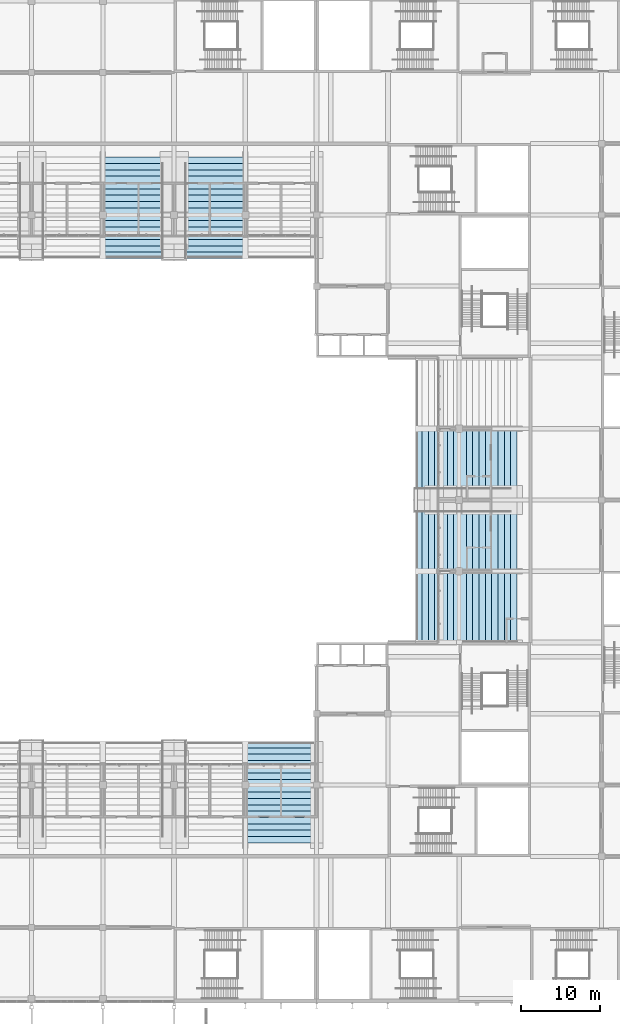
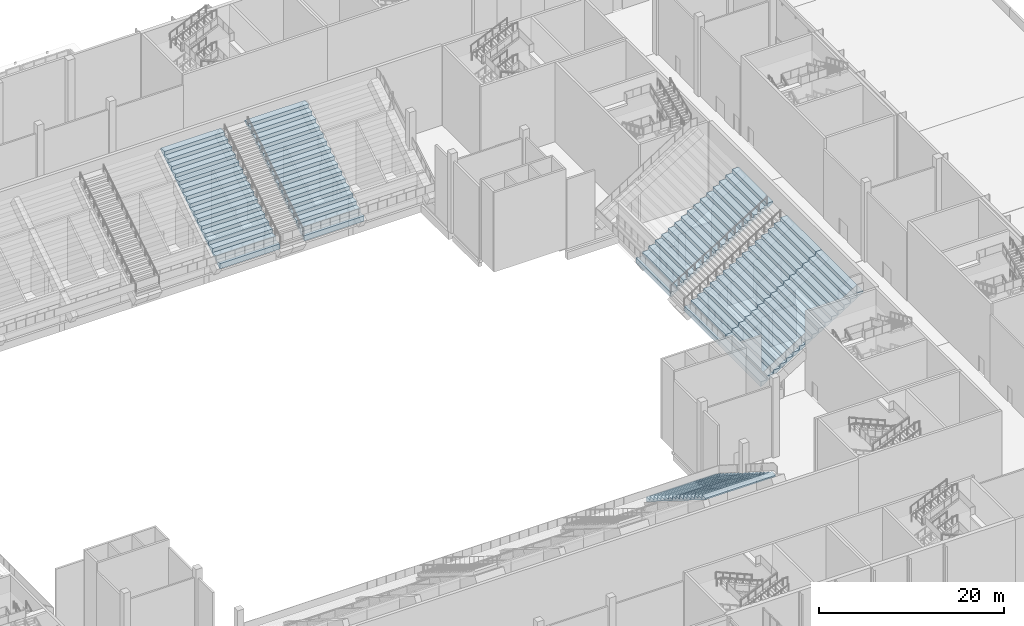
# One storey, part 134 of 182: 6 slabs.
"""IFC4 building model written with IfcOpenShell, lengths in metres."""

from ifc_helpers import new_model, si_unit, direction, frame, origin, place, context, subcontext, project, spatial, faceted_brep, material, layer, layer_set, type_object, element, save


model = new_model("IFC4")

# Units and contexts
model_context = context("Model", 3, precision=1e-05, world=origin(), true_north=direction((0.0, 1.0)))
body_context = subcontext(model_context, "Body", "Model", "MODEL_VIEW")
ifc_project = project(units=[si_unit("LENGTHUNIT", "METRE"), si_unit("AREAUNIT", "SQUARE_METRE"), si_unit("VOLUMEUNIT", "CUBIC_METRE"), si_unit("PLANEANGLEUNIT", "RADIAN"), si_unit("MASSUNIT", "GRAM", prefix="KILO")], contexts=[model_context])

# Site, building, storey
site_placement = place(None, origin())
site = spatial("IfcSite", under=ifc_project, at=site_placement, CompositionType="ELEMENT")
building_placement = place(site_placement, origin())
building = spatial("IfcBuilding", under=site, at=building_placement, Name="Silverbay Arena", CompositionType="ELEMENT")
storey_placement = place(building_placement, frame((0.0, 0.0, 11.5)))
storey = spatial("IfcBuildingStorey", under=building, at=storey_placement, Name="L02", CompositionType="ELEMENT", Elevation=11.5)

# Slabs
ifc_material = material(Name="Concrete Grade C45 precast", Category="concrete")
ifc_layer = layer(ifc_material, 0.679931640625)
ifc_layer_set = layer_set([ifc_layer], Name="Concrete Grade C45 precast")
slab_type = type_object("IfcSlabType", Name="Precast seating tier upper", PredefinedType="USERDEFINED", material=ifc_layer_set)
slab_1_placement = place(storey_placement, origin())
element("IfcSlab", 1, at=slab_1_placement, inside=storey, type_object=slab_type, Name="Stand South upper bay 7", ObjectType="SEATING TIER", PredefinedType="USERDEFINED", context=body_context, shape_type="Brep", body=[
    faceted_brep([(153.0, 50.5, 3.0), (153.0, 49.699951171875, 3.0), (161.60009765625, 49.699951171875, 3.0), (161.60009765625, 50.5, 3.0), (161.60009765625, 50.5, 2.320068359375), (161.60009765625, 49.699951171875, 2.820068359375), (153.0, 49.699951171875, 2.820068359375), (153.0, 50.5, 2.320068359375), (161.75, 49.699951171875, 3.0), (161.75, 50.5, 3.0), (161.75, 50.5, 2.320068359375), (161.75, 49.699951171875, 2.820068359375), (153.0, 49.699951171875, 3.5), (153.0, 48.89990234375, 3.5), (161.60009765625, 48.89990234375, 3.5), (161.60009765625, 49.699951171875, 3.5), (161.60009765625, 48.89990234375, 3.320068359375), (153.0, 48.89990234375, 3.320068359375), (161.75, 48.89990234375, 3.5), (161.75, 49.699951171875, 3.5), (161.75, 48.89990234375, 3.320068359375), (153.0, 48.89990234375, 4.0), (153.0, 48.10009765625, 4.0), (161.60009765625, 48.10009765625, 4.0), (161.60009765625, 48.89990234375, 4.0), (161.60009765625, 48.10009765625, 3.820068359375), (153.0, 48.10009765625, 3.820068359375), (161.75, 48.10009765625, 4.0), (161.75, 48.89990234375, 4.0), (161.75, 48.10009765625, 3.820068359375), (153.0, 48.10009765625, 4.5), (153.0, 47.300048828125, 4.5), (161.60009765625, 47.300048828125, 4.5), (161.60009765625, 48.10009765625, 4.5), (161.60009765625, 47.300048828125, 4.320068359375), (153.0, 47.300048828125, 4.320068359375), (161.75, 47.300048828125, 4.5), (161.75, 48.10009765625, 4.5), (161.75, 47.300048828125, 4.320068359375), (153.0, 47.300048828125, 5.0), (153.0, 46.5, 5.0), (161.60009765625, 46.5, 5.0), (161.60009765625, 47.300048828125, 5.0), (161.60009765625, 46.5, 4.820068359375), (153.0, 46.5, 4.820068359375), (161.75, 46.5, 5.0), (161.75, 47.300048828125, 5.0), (161.75, 46.5, 4.820068359375), (153.0, 46.5, 5.5), (153.0, 45.699951171875, 5.5), (161.60009765625, 45.699951171875, 5.5), (161.60009765625, 46.5, 5.5), (161.60009765625, 45.699951171875, 5.320068359375), (153.0, 45.699951171875, 5.320068359375), (161.75, 45.699951171875, 5.5), (161.75, 46.5, 5.5), (161.75, 45.699951171875, 5.320068359375), (153.0, 45.699951171875, 6.0), (153.0, 45.39990234375, 6.0), (161.60009765625, 45.39990234375, 6.0), (161.60009765625, 45.699951171875, 6.0), (161.60009765625, 45.39990234375, 5.507568359375), (153.0, 45.39990234375, 5.507568359375), (161.75, 45.39990234375, 6.0), (161.75, 45.699951171875, 6.0), (161.75, 45.39990234375, 5.507568359375), (153.0, 44.89990234375, 6.0), (161.60009765625, 44.89990234375, 6.0), (161.60009765625, 44.89990234375, 5.820068359375), (153.0, 44.89990234375, 5.820068359375), (153.0, 44.89990234375, 6.5), (153.0, 44.60009765625, 6.5), (161.60009765625, 44.60009765625, 6.5), (161.60009765625, 44.89990234375, 6.5), (161.60009765625, 44.60009765625, 6.007568359375), (153.0, 44.60009765625, 6.007568359375), (153.0, 44.10009765625, 6.5), (161.60009765625, 44.10009765625, 6.5), (161.60009765625, 44.10009765625, 6.320068359375), (153.0, 44.10009765625, 6.320068359375), (161.75, 44.10009765625, 6.5), (161.75, 44.60009765625, 6.5), (161.75, 44.60009765625, 6.007568359375), (161.75, 44.10009765625, 6.320068359375), (153.0, 44.10009765625, 7.0), (153.0, 43.300048828125, 7.0), (161.60009765625, 43.300048828125, 7.0), (161.60009765625, 44.10009765625, 7.0), (161.60009765625, 43.300048828125, 6.820068359375), (153.0, 43.300048828125, 6.820068359375), (161.75, 43.300048828125, 7.0), (161.75, 44.10009765625, 7.0), (161.75, 43.300048828125, 6.820068359375), (153.0, 43.300048828125, 7.5), (153.0, 42.5, 7.5), (161.60009765625, 42.5, 7.5), (161.60009765625, 43.300048828125, 7.5), (161.60009765625, 42.5, 7.320068359375), (153.0, 42.5, 7.320068359375), (161.75, 42.5, 7.5), (161.75, 43.300048828125, 7.5), (161.75, 42.5, 7.320068359375), (153.0, 42.5, 8.0), (153.0, 41.699951171875, 8.0), (161.60009765625, 41.699951171875, 8.0), (161.60009765625, 42.5, 8.0), (161.60009765625, 41.699951171875, 7.820068359375), (153.0, 41.699951171875, 7.820068359375), (161.75, 41.699951171875, 8.0), (161.75, 42.5, 8.0), (161.75, 41.699951171875, 7.820068359375), (153.0, 41.699951171875, 8.5), (153.0, 40.89990234375, 8.5), (161.60009765625, 40.89990234375, 8.5), (161.60009765625, 41.699951171875, 8.5), (161.60009765625, 40.89990234375, 8.320068359375), (153.0, 40.89990234375, 8.320068359375), (161.75, 40.89990234375, 8.5), (161.75, 41.699951171875, 8.5), (161.75, 40.89990234375, 8.320068359375), (153.0, 40.89990234375, 9.0), (153.0, 40.10009765625, 9.0), (161.60009765625, 40.10009765625, 9.0), (161.60009765625, 40.89990234375, 9.0), (161.60009765625, 40.10009765625, 8.820068359375), (153.0, 40.10009765625, 8.820068359375), (161.75, 40.10009765625, 9.0), (161.75, 40.89990234375, 9.0), (161.75, 40.10009765625, 8.820068359375), (153.0, 40.10009765625, 9.5), (153.0, 39.300048828125, 9.5), (161.60009765625, 39.300048828125, 9.5), (161.60009765625, 40.10009765625, 9.5), (161.60009765625, 39.300048828125, 9.320068359375), (153.0, 39.300048828125, 9.320068359375), (161.75, 39.300048828125, 9.5), (161.75, 40.10009765625, 9.5), (161.75, 39.300048828125, 9.320068359375), (153.0, 39.300048828125, 10.0), (153.0, 38.5, 10.0), (161.60009765625, 38.5, 10.0), (161.60009765625, 39.300048828125, 10.0), (161.60009765625, 38.5, 9.820068359375), (153.0, 38.5, 9.820068359375), (161.75, 38.5, 10.0), (161.75, 39.300048828125, 10.0), (161.75, 38.5, 9.820068359375), (153.0, 38.5, 10.5), (153.0, 37.699951171875, 10.5), (161.60009765625, 37.699951171875, 10.5), (161.60009765625, 38.5, 10.5), (161.60009765625, 37.699951171875, 10.320068359375), (153.0, 37.699951171875, 10.320068359375), (161.75, 37.699951171875, 10.5), (161.75, 38.5, 10.5), (161.75, 37.699951171875, 10.320068359375)], [[[0, 1, 2, 3]], [[4, 5, 6, 7]], [[7, 6, 1, 0]], [[0, 3, 4, 7]], [[3, 2, 8, 9]], [[10, 11, 5, 4]], [[9, 8, 11, 10]], [[3, 9, 10, 4]], [[12, 13, 14, 15]], [[5, 16, 17, 6]], [[6, 17, 13, 12, 1]], [[12, 15, 2, 1]], [[15, 14, 18, 19]], [[11, 20, 16, 5]], [[19, 18, 20, 11, 8]], [[15, 19, 8, 2]], [[21, 22, 23, 24]], [[16, 25, 26, 17]], [[17, 26, 22, 21, 13]], [[21, 24, 14, 13]], [[24, 23, 27, 28]], [[20, 29, 25, 16]], [[28, 27, 29, 20, 18]], [[24, 28, 18, 14]], [[30, 31, 32, 33]], [[25, 34, 35, 26]], [[26, 35, 31, 30, 22]], [[30, 33, 23, 22]], [[33, 32, 36, 37]], [[29, 38, 34, 25]], [[37, 36, 38, 29, 27]], [[33, 37, 27, 23]], [[39, 40, 41, 42]], [[34, 43, 44, 35]], [[35, 44, 40, 39, 31]], [[39, 42, 32, 31]], [[42, 41, 45, 46]], [[38, 47, 43, 34]], [[46, 45, 47, 38, 36]], [[42, 46, 36, 32]], [[48, 49, 50, 51]], [[43, 52, 53, 44]], [[44, 53, 49, 48, 40]], [[48, 51, 41, 40]], [[51, 50, 54, 55]], [[47, 56, 52, 43]], [[55, 54, 56, 47, 45]], [[51, 55, 45, 41]], [[57, 58, 59, 60]], [[52, 61, 62, 53]], [[53, 62, 58, 57, 49]], [[57, 60, 50, 49]], [[60, 59, 63, 64]], [[56, 65, 61, 52]], [[64, 63, 65, 56, 54]], [[60, 64, 54, 50]], [[61, 65, 63, 59]], [[58, 66, 67, 59]], [[61, 68, 69, 62]], [[62, 69, 66, 58]], [[59, 67, 68, 61]], [[70, 71, 72, 73]], [[68, 74, 75, 69]], [[69, 75, 71, 70, 66]], [[73, 72, 74, 68, 67]], [[70, 73, 67, 66]], [[71, 76, 77, 72]], [[74, 78, 79, 75]], [[75, 79, 76, 71]], [[72, 77, 80, 81]], [[82, 83, 78, 74]], [[81, 80, 83, 82]], [[72, 81, 82, 74]], [[84, 85, 86, 87]], [[78, 88, 89, 79]], [[79, 89, 85, 84, 76]], [[84, 87, 77, 76]], [[87, 86, 90, 91]], [[83, 92, 88, 78]], [[91, 90, 92, 83, 80]], [[87, 91, 80, 77]], [[93, 94, 95, 96]], [[88, 97, 98, 89]], [[89, 98, 94, 93, 85]], [[93, 96, 86, 85]], [[96, 95, 99, 100]], [[92, 101, 97, 88]], [[100, 99, 101, 92, 90]], [[96, 100, 90, 86]], [[102, 103, 104, 105]], [[97, 106, 107, 98]], [[98, 107, 103, 102, 94]], [[102, 105, 95, 94]], [[105, 104, 108, 109]], [[101, 110, 106, 97]], [[109, 108, 110, 101, 99]], [[105, 109, 99, 95]], [[111, 112, 113, 114]], [[106, 115, 116, 107]], [[107, 116, 112, 111, 103]], [[111, 114, 104, 103]], [[114, 113, 117, 118]], [[110, 119, 115, 106]], [[118, 117, 119, 110, 108]], [[114, 118, 108, 104]], [[120, 121, 122, 123]], [[115, 124, 125, 116]], [[116, 125, 121, 120, 112]], [[120, 123, 113, 112]], [[123, 122, 126, 127]], [[119, 128, 124, 115]], [[127, 126, 128, 119, 117]], [[123, 127, 117, 113]], [[129, 130, 131, 132]], [[124, 133, 134, 125]], [[125, 134, 130, 129, 121]], [[129, 132, 122, 121]], [[132, 131, 135, 136]], [[128, 137, 133, 124]], [[136, 135, 137, 128, 126]], [[132, 136, 126, 122]], [[138, 139, 140, 141]], [[133, 142, 143, 134]], [[134, 143, 139, 138, 130]], [[138, 141, 131, 130]], [[141, 140, 144, 145]], [[137, 146, 142, 133]], [[145, 144, 146, 137, 135]], [[141, 145, 135, 131]], [[147, 148, 149, 150]], [[142, 151, 152, 143]], [[143, 152, 148, 147, 139]], [[147, 150, 140, 139]], [[152, 151, 149, 148]], [[150, 149, 153, 154]], [[146, 155, 151, 142]], [[154, 153, 155, 146, 144]], [[150, 154, 144, 140]], [[151, 155, 153, 149]]]),
])
slab_2_placement = place(storey_placement, origin())
element("IfcSlab", 2, at=slab_2_placement, inside=storey, type_object=slab_type, Name="Stand North upper bay 5", ObjectType="SEATING TIER", PredefinedType="USERDEFINED", context=body_context, shape_type="Brep", body=[
    faceted_brep([(135.0, 111.5, 3.0), (135.0, 112.300048828125, 3.0), (135.0, 112.300048828125, 3.5), (135.0, 113.10009765625, 3.5), (135.0, 113.10009765625, 4.0), (135.0, 113.89990234375, 4.0), (135.0, 113.89990234375, 4.5), (135.0, 114.699951171875, 4.5), (135.0, 114.699951171875, 5.0), (135.0, 115.5, 5.0), (135.0, 115.5, 5.5), (135.0, 116.300048828125, 5.5), (135.0, 116.300048828125, 6.0), (135.0, 117.10009765625, 6.0), (135.0, 117.10009765625, 6.5), (135.0, 117.89990234375, 6.5), (135.0, 117.89990234375, 7.0), (135.0, 118.699951171875, 7.0), (135.0, 118.699951171875, 7.5), (135.0, 119.5, 7.5), (135.0, 119.5, 8.0), (135.0, 120.300048828125, 8.0), (135.0, 120.300048828125, 8.5), (135.0, 121.10009765625, 8.5), (135.0, 121.10009765625, 9.0), (135.0, 121.89990234375, 9.0), (135.0, 121.89990234375, 9.5), (135.0, 122.699951171875, 9.5), (135.0, 122.699951171875, 10.0), (135.0, 123.5, 10.0), (135.0, 123.5, 10.5), (135.0, 124.300048828125, 10.5), (135.0, 124.300048828125, 10.320068359375), (135.0, 111.5, 2.320068359375), (142.5, 111.5, 2.320068359375), (142.5, 124.300048828125, 10.320068359375), (142.5, 124.300048828125, 10.5), (142.5, 123.5, 10.5), (142.5, 123.5, 10.0), (142.5, 122.699951171875, 10.0), (142.5, 122.699951171875, 9.5), (142.5, 121.89990234375, 9.5), (142.5, 121.89990234375, 9.0), (142.5, 121.10009765625, 9.0), (142.5, 121.10009765625, 8.5), (142.5, 120.300048828125, 8.5), (142.5, 120.300048828125, 8.0), (142.5, 119.5, 8.0), (142.5, 119.5, 7.5), (142.5, 118.699951171875, 7.5), (142.5, 118.699951171875, 7.0), (142.5, 117.89990234375, 7.0), (142.5, 117.89990234375, 6.5), (142.5, 117.10009765625, 6.5), (142.5, 117.10009765625, 6.0), (142.5, 116.300048828125, 6.0), (142.5, 116.300048828125, 5.5), (142.5, 115.5, 5.5), (142.5, 115.5, 5.0), (142.5, 114.699951171875, 5.0), (142.5, 114.699951171875, 4.5), (142.5, 113.89990234375, 4.5), (142.5, 113.89990234375, 4.0), (142.5, 113.10009765625, 4.0), (142.5, 113.10009765625, 3.5), (142.5, 112.300048828125, 3.5), (142.5, 112.300048828125, 3.0), (142.5, 111.5, 3.0)], [[[0, 1, 2, 3, 4, 5, 6, 7, 8, 9, 10, 11, 12, 13, 14, 15, 16, 17, 18, 19, 20, 21, 22, 23, 24, 25, 26, 27, 28, 29, 30, 31, 32, 33]], [[34, 35, 36, 37, 38, 39, 40, 41, 42, 43, 44, 45, 46, 47, 48, 49, 50, 51, 52, 53, 54, 55, 56, 57, 58, 59, 60, 61, 62, 63, 64, 65, 66, 67]], [[67, 66, 1, 0]], [[66, 65, 2, 1]], [[65, 64, 3, 2]], [[64, 63, 4, 3]], [[63, 62, 5, 4]], [[62, 61, 6, 5]], [[61, 60, 7, 6]], [[60, 59, 8, 7]], [[59, 58, 9, 8]], [[58, 57, 10, 9]], [[57, 56, 11, 10]], [[56, 55, 12, 11]], [[55, 54, 13, 12]], [[54, 53, 14, 13]], [[53, 52, 15, 14]], [[52, 51, 16, 15]], [[51, 50, 17, 16]], [[50, 49, 18, 17]], [[49, 48, 19, 18]], [[48, 47, 20, 19]], [[47, 46, 21, 20]], [[46, 45, 22, 21]], [[45, 44, 23, 22]], [[44, 43, 24, 23]], [[43, 42, 25, 24]], [[42, 41, 26, 25]], [[41, 40, 27, 26]], [[40, 39, 28, 27]], [[39, 38, 29, 28]], [[38, 37, 30, 29]], [[37, 36, 31, 30]], [[36, 35, 32, 31]], [[35, 34, 33, 32]], [[34, 67, 0, 33]]]),
])
slab_3_placement = place(storey_placement, origin())
element("IfcSlab", 3, at=slab_3_placement, inside=storey, type_object=slab_type, Name="Stand North upper bay 6", ObjectType="SEATING TIER", PredefinedType="USERDEFINED", context=body_context, shape_type="Brep", body=[
    faceted_brep([(145.5, 111.5, 3.0), (145.5, 112.300048828125, 3.0), (145.5, 112.300048828125, 3.5), (145.5, 113.10009765625, 3.5), (145.5, 113.10009765625, 4.0), (145.5, 113.89990234375, 4.0), (145.5, 113.89990234375, 4.5), (145.5, 114.699951171875, 4.5), (145.5, 114.699951171875, 5.0), (145.5, 115.5, 5.0), (145.5, 115.5, 5.5), (145.5, 116.300048828125, 5.5), (145.5, 116.300048828125, 6.0), (145.5, 117.10009765625, 6.0), (145.5, 117.10009765625, 6.5), (145.5, 117.89990234375, 6.5), (145.5, 117.89990234375, 7.0), (145.5, 118.699951171875, 7.0), (145.5, 118.699951171875, 7.5), (145.5, 119.5, 7.5), (145.5, 119.5, 8.0), (145.5, 120.300048828125, 8.0), (145.5, 120.300048828125, 8.5), (145.5, 121.10009765625, 8.5), (145.5, 121.10009765625, 9.0), (145.5, 121.89990234375, 9.0), (145.5, 121.89990234375, 9.5), (145.5, 122.699951171875, 9.5), (145.5, 122.699951171875, 10.0), (145.5, 123.5, 10.0), (145.5, 123.5, 10.5), (145.5, 124.300048828125, 10.5), (145.5, 124.300048828125, 10.320068359375), (145.5, 111.5, 2.320068359375), (153.0, 111.5, 2.320068359375), (153.0, 124.300048828125, 10.320068359375), (153.0, 124.300048828125, 10.5), (153.0, 123.5, 10.5), (153.0, 123.5, 10.0), (153.0, 122.699951171875, 10.0), (153.0, 122.699951171875, 9.5), (153.0, 121.89990234375, 9.5), (153.0, 121.89990234375, 9.0), (153.0, 121.10009765625, 9.0), (153.0, 121.10009765625, 8.5), (153.0, 120.300048828125, 8.5), (153.0, 120.300048828125, 8.0), (153.0, 119.5, 8.0), (153.0, 119.5, 7.5), (153.0, 118.699951171875, 7.5), (153.0, 118.699951171875, 7.0), (153.0, 117.89990234375, 7.0), (153.0, 117.89990234375, 6.5), (153.0, 117.10009765625, 6.5), (153.0, 117.10009765625, 6.0), (153.0, 116.300048828125, 6.0), (153.0, 116.300048828125, 5.5), (153.0, 115.5, 5.5), (153.0, 115.5, 5.0), (153.0, 114.699951171875, 5.0), (153.0, 114.699951171875, 4.5), (153.0, 113.89990234375, 4.5), (153.0, 113.89990234375, 4.0), (153.0, 113.10009765625, 4.0), (153.0, 113.10009765625, 3.5), (153.0, 112.300048828125, 3.5), (153.0, 112.300048828125, 3.0), (153.0, 111.5, 3.0)], [[[0, 1, 2, 3, 4, 5, 6, 7, 8, 9, 10, 11, 12, 13, 14, 15, 16, 17, 18, 19, 20, 21, 22, 23, 24, 25, 26, 27, 28, 29, 30, 31, 32, 33]], [[34, 35, 36, 37, 38, 39, 40, 41, 42, 43, 44, 45, 46, 47, 48, 49, 50, 51, 52, 53, 54, 55, 56, 57, 58, 59, 60, 61, 62, 63, 64, 65, 66, 67]], [[67, 66, 1, 0]], [[66, 65, 2, 1]], [[65, 64, 3, 2]], [[64, 63, 4, 3]], [[63, 62, 5, 4]], [[62, 61, 6, 5]], [[61, 60, 7, 6]], [[60, 59, 8, 7]], [[59, 58, 9, 8]], [[58, 57, 10, 9]], [[57, 56, 11, 10]], [[56, 55, 12, 11]], [[55, 54, 13, 12]], [[54, 53, 14, 13]], [[53, 52, 15, 14]], [[52, 51, 16, 15]], [[51, 50, 17, 16]], [[50, 49, 18, 17]], [[49, 48, 19, 18]], [[48, 47, 20, 19]], [[47, 46, 21, 20]], [[46, 45, 22, 21]], [[45, 44, 23, 22]], [[44, 43, 24, 23]], [[43, 42, 25, 24]], [[42, 41, 26, 25]], [[41, 40, 27, 26]], [[40, 39, 28, 27]], [[39, 38, 29, 28]], [[38, 37, 30, 29]], [[37, 36, 31, 30]], [[36, 35, 32, 31]], [[35, 34, 33, 32]], [[34, 67, 0, 33]]]),
])
slab_4_placement = place(storey_placement, origin())
element("IfcSlab", 4, at=slab_4_placement, inside=storey, type_object=slab_type, Name="Stand East upper bay 1", ObjectType="SEATING TIER", PredefinedType="USERDEFINED", context=body_context, shape_type="Brep", body=[
    faceted_brep([(174.5, 63.0, 2.320068359375), (187.300048828125, 63.0, 10.320068359375), (187.300048828125, 63.0, 10.5), (186.5, 63.0, 10.5), (186.5, 63.0, 10.0), (185.699951171875, 63.0, 10.0), (185.699951171875, 63.0, 9.5), (184.89990234375, 63.0, 9.5), (184.89990234375, 63.0, 9.0), (184.10009765625, 63.0, 9.0), (184.10009765625, 63.0, 8.5), (183.300048828125, 63.0, 8.5), (183.300048828125, 63.0, 8.0), (182.5, 63.0, 8.0), (182.5, 63.0, 7.5), (181.699951171875, 63.0, 7.5), (181.699951171875, 63.0, 7.0), (180.89990234375, 63.0, 7.0), (180.89990234375, 63.0, 6.5), (180.10009765625, 63.0, 6.5), (180.10009765625, 63.0, 6.0), (179.300048828125, 63.0, 6.0), (179.300048828125, 63.0, 5.5), (178.5, 63.0, 5.5), (178.5, 63.0, 5.0), (177.699951171875, 63.0, 5.0), (177.699951171875, 63.0, 4.5), (176.89990234375, 63.0, 4.5), (176.89990234375, 63.0, 4.0), (176.10009765625, 63.0, 4.0), (176.10009765625, 63.0, 3.5), (175.300048828125, 63.0, 3.5), (175.300048828125, 63.0, 3.0), (174.5, 63.0, 3.0), (174.5, 72.0, 3.0), (175.300048828125, 72.0, 3.0), (175.300048828125, 72.0, 3.5), (176.10009765625, 72.0, 3.5), (176.10009765625, 72.0, 4.0), (176.89990234375, 72.0, 4.0), (176.89990234375, 72.0, 4.5), (177.699951171875, 72.0, 4.5), (177.699951171875, 72.0, 5.0), (178.5, 72.0, 5.0), (178.5, 72.0, 5.5), (179.300048828125, 72.0, 5.5), (179.300048828125, 72.0, 6.0), (180.10009765625, 72.0, 6.0), (180.10009765625, 72.0, 6.5), (180.89990234375, 72.0, 6.5), (180.89990234375, 72.0, 7.0), (181.699951171875, 72.0, 7.0), (181.699951171875, 72.0, 7.5), (182.5, 72.0, 7.5), (182.5, 72.0, 8.0), (183.300048828125, 72.0, 8.0), (183.300048828125, 72.0, 8.5), (184.10009765625, 72.0, 8.5), (184.10009765625, 72.0, 9.0), (184.89990234375, 72.0, 9.0), (184.89990234375, 72.0, 9.5), (185.699951171875, 72.0, 9.5), (185.699951171875, 72.0, 10.0), (186.5, 72.0, 10.0), (186.5, 72.0, 10.5), (187.300048828125, 72.0, 10.5), (187.300048828125, 72.0, 10.320068359375), (174.5, 72.0, 2.320068359375)], [[[0, 1, 2, 3, 4, 5, 6, 7, 8, 9, 10, 11, 12, 13, 14, 15, 16, 17, 18, 19, 20, 21, 22, 23, 24, 25, 26, 27, 28, 29, 30, 31, 32, 33]], [[34, 35, 36, 37, 38, 39, 40, 41, 42, 43, 44, 45, 46, 47, 48, 49, 50, 51, 52, 53, 54, 55, 56, 57, 58, 59, 60, 61, 62, 63, 64, 65, 66, 67]], [[33, 32, 35, 34]], [[32, 31, 36, 35]], [[31, 30, 37, 36]], [[30, 29, 38, 37]], [[29, 28, 39, 38]], [[28, 27, 40, 39]], [[27, 26, 41, 40]], [[26, 25, 42, 41]], [[25, 24, 43, 42]], [[24, 23, 44, 43]], [[23, 22, 45, 44]], [[22, 21, 46, 45]], [[21, 20, 47, 46]], [[20, 19, 48, 47]], [[19, 18, 49, 48]], [[18, 17, 50, 49]], [[17, 16, 51, 50]], [[16, 15, 52, 51]], [[15, 14, 53, 52]], [[14, 13, 54, 53]], [[13, 12, 55, 54]], [[12, 11, 56, 55]], [[11, 10, 57, 56]], [[10, 9, 58, 57]], [[9, 8, 59, 58]], [[8, 7, 60, 59]], [[7, 6, 61, 60]], [[6, 5, 62, 61]], [[5, 4, 63, 62]], [[4, 3, 64, 63]], [[3, 2, 65, 64]], [[2, 1, 66, 65]], [[1, 0, 67, 66]], [[0, 33, 34, 67]]]),
])
slab_5_placement = place(storey_placement, origin())
element("IfcSlab", 5, at=slab_5_placement, inside=storey, type_object=slab_type, Name="Stand East upper bay 2", ObjectType="SEATING TIER", PredefinedType="USERDEFINED", context=body_context, shape_type="Brep", body=[
    faceted_brep([(174.5, 72.0, 2.320068359375), (187.300048828125, 72.0, 10.320068359375), (187.300048828125, 72.0, 10.5), (186.5, 72.0, 10.5), (186.5, 72.0, 10.0), (185.699951171875, 72.0, 10.0), (185.699951171875, 72.0, 9.5), (184.89990234375, 72.0, 9.5), (184.89990234375, 72.0, 9.0), (184.10009765625, 72.0, 9.0), (184.10009765625, 72.0, 8.5), (183.300048828125, 72.0, 8.5), (183.300048828125, 72.0, 8.0), (182.5, 72.0, 8.0), (182.5, 72.0, 7.5), (181.699951171875, 72.0, 7.5), (181.699951171875, 72.0, 7.0), (180.89990234375, 72.0, 7.0), (180.89990234375, 72.0, 6.5), (180.10009765625, 72.0, 6.5), (180.10009765625, 72.0, 6.0), (179.300048828125, 72.0, 6.0), (179.300048828125, 72.0, 5.5), (178.5, 72.0, 5.5), (178.5, 72.0, 5.0), (177.699951171875, 72.0, 5.0), (177.699951171875, 72.0, 4.5), (176.89990234375, 72.0, 4.5), (176.89990234375, 72.0, 4.0), (176.10009765625, 72.0, 4.0), (176.10009765625, 72.0, 3.5), (175.300048828125, 72.0, 3.5), (175.300048828125, 72.0, 3.0), (174.5, 72.0, 3.0), (174.5, 79.5, 3.0), (175.300048828125, 79.5, 3.0), (175.300048828125, 79.5, 3.5), (176.10009765625, 79.5, 3.5), (176.10009765625, 79.5, 4.0), (176.89990234375, 79.5, 4.0), (176.89990234375, 79.5, 4.5), (177.699951171875, 79.5, 4.5), (177.699951171875, 79.5, 5.0), (178.5, 79.5, 5.0), (178.5, 79.5, 5.5), (179.300048828125, 79.5, 5.5), (179.300048828125, 79.5, 6.0), (180.10009765625, 79.5, 6.0), (180.10009765625, 79.5, 6.5), (180.89990234375, 79.5, 6.5), (180.89990234375, 79.5, 7.0), (181.699951171875, 79.5, 7.0), (181.699951171875, 79.5, 7.5), (182.5, 79.5, 7.5), (182.5, 79.5, 8.0), (183.300048828125, 79.5, 8.0), (183.300048828125, 79.5, 8.5), (184.10009765625, 79.5, 8.5), (184.10009765625, 79.5, 9.0), (184.89990234375, 79.5, 9.0), (184.89990234375, 79.5, 9.5), (185.699951171875, 79.5, 9.5), (185.699951171875, 79.5, 10.0), (186.5, 79.5, 10.0), (186.5, 79.5, 10.5), (187.300048828125, 79.5, 10.5), (187.300048828125, 79.5, 10.320068359375), (174.5, 79.5, 2.320068359375)], [[[0, 1, 2, 3, 4, 5, 6, 7, 8, 9, 10, 11, 12, 13, 14, 15, 16, 17, 18, 19, 20, 21, 22, 23, 24, 25, 26, 27, 28, 29, 30, 31, 32, 33]], [[34, 35, 36, 37, 38, 39, 40, 41, 42, 43, 44, 45, 46, 47, 48, 49, 50, 51, 52, 53, 54, 55, 56, 57, 58, 59, 60, 61, 62, 63, 64, 65, 66, 67]], [[33, 32, 35, 34]], [[32, 31, 36, 35]], [[31, 30, 37, 36]], [[30, 29, 38, 37]], [[29, 28, 39, 38]], [[28, 27, 40, 39]], [[27, 26, 41, 40]], [[26, 25, 42, 41]], [[25, 24, 43, 42]], [[24, 23, 44, 43]], [[23, 22, 45, 44]], [[22, 21, 46, 45]], [[21, 20, 47, 46]], [[20, 19, 48, 47]], [[19, 18, 49, 48]], [[18, 17, 50, 49]], [[17, 16, 51, 50]], [[16, 15, 52, 51]], [[15, 14, 53, 52]], [[14, 13, 54, 53]], [[13, 12, 55, 54]], [[12, 11, 56, 55]], [[11, 10, 57, 56]], [[10, 9, 58, 57]], [[9, 8, 59, 58]], [[8, 7, 60, 59]], [[7, 6, 61, 60]], [[6, 5, 62, 61]], [[5, 4, 63, 62]], [[4, 3, 64, 63]], [[3, 2, 65, 64]], [[2, 1, 66, 65]], [[1, 0, 67, 66]], [[0, 33, 34, 67]]]),
])
slab_6_placement = place(storey_placement, origin())
element("IfcSlab", 6, at=slab_6_placement, inside=storey, type_object=slab_type, Name="Stand East upper bay 3", ObjectType="SEATING TIER", PredefinedType="USERDEFINED", context=body_context, shape_type="Brep", body=[
    faceted_brep([(174.5, 82.5, 2.320068359375), (187.300048828125, 82.5, 10.320068359375), (187.300048828125, 82.5, 10.5), (186.5, 82.5, 10.5), (186.5, 82.5, 10.0), (185.699951171875, 82.5, 10.0), (185.699951171875, 82.5, 9.5), (184.89990234375, 82.5, 9.5), (184.89990234375, 82.5, 9.0), (184.10009765625, 82.5, 9.0), (184.10009765625, 82.5, 8.5), (183.300048828125, 82.5, 8.5), (183.300048828125, 82.5, 8.0), (182.5, 82.5, 8.0), (182.5, 82.5, 7.5), (181.699951171875, 82.5, 7.5), (181.699951171875, 82.5, 7.0), (180.89990234375, 82.5, 7.0), (180.89990234375, 82.5, 6.5), (180.10009765625, 82.5, 6.5), (180.10009765625, 82.5, 6.0), (179.300048828125, 82.5, 6.0), (179.300048828125, 82.5, 5.5), (178.5, 82.5, 5.5), (178.5, 82.5, 5.0), (177.699951171875, 82.5, 5.0), (177.699951171875, 82.5, 4.5), (176.89990234375, 82.5, 4.5), (176.89990234375, 82.5, 4.0), (176.10009765625, 82.5, 4.0), (176.10009765625, 82.5, 3.5), (175.300048828125, 82.5, 3.5), (175.300048828125, 82.5, 3.0), (174.5, 82.5, 3.0), (174.5, 90.0, 3.0), (175.300048828125, 90.0, 3.0), (175.300048828125, 90.0, 3.5), (176.10009765625, 90.0, 3.5), (176.10009765625, 90.0, 4.0), (176.89990234375, 90.0, 4.0), (176.89990234375, 90.0, 4.5), (177.699951171875, 90.0, 4.5), (177.699951171875, 90.0, 5.0), (178.5, 90.0, 5.0), (178.5, 90.0, 5.5), (179.300048828125, 90.0, 5.5), (179.300048828125, 90.0, 6.0), (180.10009765625, 90.0, 6.0), (180.10009765625, 90.0, 6.5), (180.89990234375, 90.0, 6.5), (180.89990234375, 90.0, 7.0), (181.699951171875, 90.0, 7.0), (181.699951171875, 90.0, 7.5), (182.5, 90.0, 7.5), (182.5, 90.0, 8.0), (183.300048828125, 90.0, 8.0), (183.300048828125, 90.0, 8.5), (184.10009765625, 90.0, 8.5), (184.10009765625, 90.0, 9.0), (184.89990234375, 90.0, 9.0), (184.89990234375, 90.0, 9.5), (185.699951171875, 90.0, 9.5), (185.699951171875, 90.0, 10.0), (186.5, 90.0, 10.0), (186.5, 90.0, 10.5), (187.300048828125, 90.0, 10.5), (187.300048828125, 90.0, 10.320068359375), (174.5, 90.0, 2.320068359375)], [[[0, 1, 2, 3, 4, 5, 6, 7, 8, 9, 10, 11, 12, 13, 14, 15, 16, 17, 18, 19, 20, 21, 22, 23, 24, 25, 26, 27, 28, 29, 30, 31, 32, 33]], [[34, 35, 36, 37, 38, 39, 40, 41, 42, 43, 44, 45, 46, 47, 48, 49, 50, 51, 52, 53, 54, 55, 56, 57, 58, 59, 60, 61, 62, 63, 64, 65, 66, 67]], [[33, 32, 35, 34]], [[32, 31, 36, 35]], [[31, 30, 37, 36]], [[30, 29, 38, 37]], [[29, 28, 39, 38]], [[28, 27, 40, 39]], [[27, 26, 41, 40]], [[26, 25, 42, 41]], [[25, 24, 43, 42]], [[24, 23, 44, 43]], [[23, 22, 45, 44]], [[22, 21, 46, 45]], [[21, 20, 47, 46]], [[20, 19, 48, 47]], [[19, 18, 49, 48]], [[18, 17, 50, 49]], [[17, 16, 51, 50]], [[16, 15, 52, 51]], [[15, 14, 53, 52]], [[14, 13, 54, 53]], [[13, 12, 55, 54]], [[12, 11, 56, 55]], [[11, 10, 57, 56]], [[10, 9, 58, 57]], [[9, 8, 59, 58]], [[8, 7, 60, 59]], [[7, 6, 61, 60]], [[6, 5, 62, 61]], [[5, 4, 63, 62]], [[4, 3, 64, 63]], [[3, 2, 65, 64]], [[2, 1, 66, 65]], [[1, 0, 67, 66]], [[0, 33, 34, 67]]]),
])

save(model, "model.ifc")
